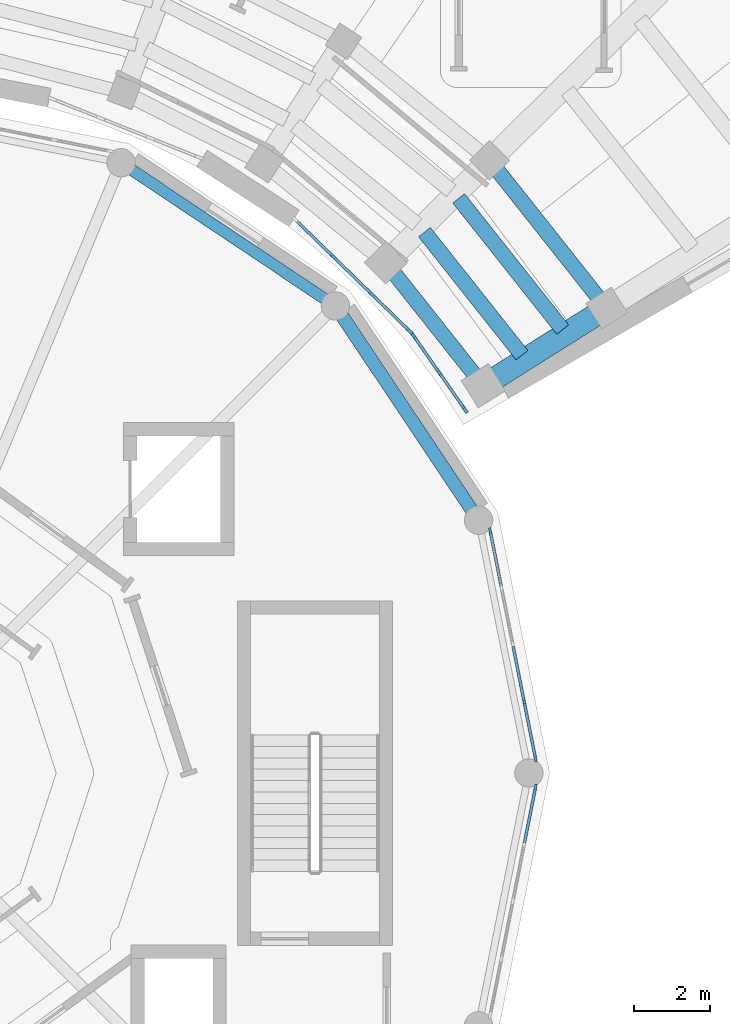
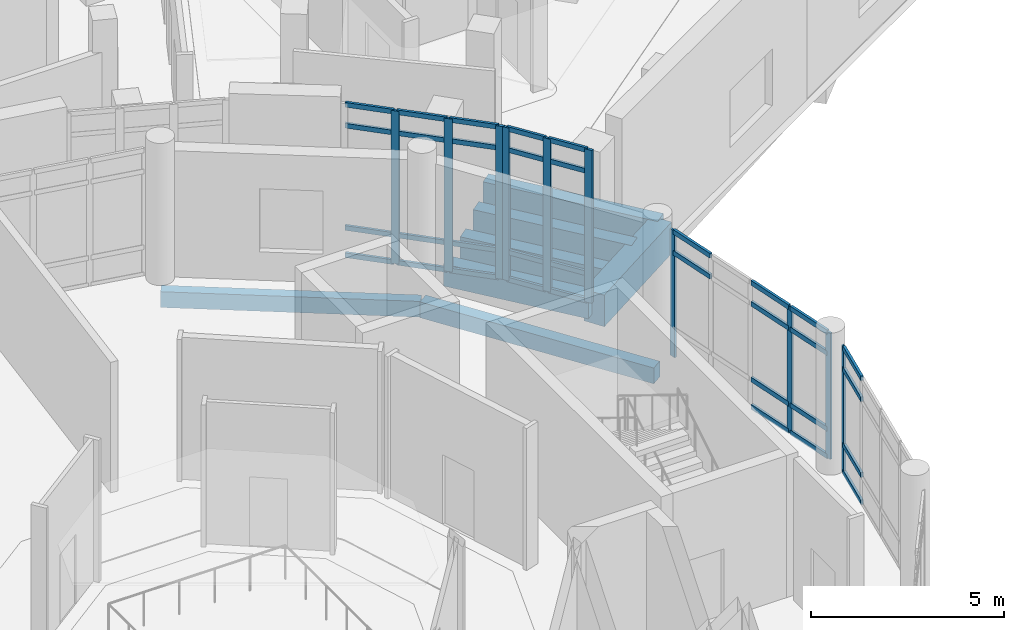
# One storey, part 10 of 27: 44 members, 7 beams, 4 elements without a shape of their own.
"""IFC4 building model written with IfcOpenShell, lengths in metres."""

from ifc_helpers import new_model, si_unit, direction, frame, origin, origin_2d, place, context, subcontext, project, spatial, rectangle, extrude, material, material_profile, profile_set, type_object, element, aggregate, save


model = new_model("IFC4")

# Units and contexts
model_context = context("Model", 3, precision=1e-05, world=origin(), true_north=direction((0.0, 1.0)))
body_context = subcontext(model_context, "Body", "Model", "MODEL_VIEW")
ifc_project = project(units=[si_unit("LENGTHUNIT", "METRE"), si_unit("AREAUNIT", "SQUARE_METRE"), si_unit("VOLUMEUNIT", "CUBIC_METRE"), si_unit("PLANEANGLEUNIT", "RADIAN"), si_unit("MASSUNIT", "GRAM", prefix="KILO")], contexts=[model_context])

# Site, building, storey
site_placement = place(None, origin())
site = spatial("IfcSite", under=ifc_project, at=site_placement, CompositionType="ELEMENT")
building_placement = place(site_placement, origin())
building = spatial("IfcBuilding", under=site, at=building_placement, Name="Soyqirgoq Riverine Aquarium", CompositionType="ELEMENT")
storey_placement = place(building_placement, frame((0.0, 0.0, 19.800048828125)))
storey = spatial("IfcBuildingStorey", under=building, at=storey_placement, Name="L05", CompositionType="ELEMENT", Elevation=19.800048828125)

# Beams
ifc_material_1 = material(Name="Concrete C40/50", Category="concrete")
ifc_material_profile_1 = material_profile(ifc_material_1, rectangle(XDim=0.39990234375, YDim=0.64990234375, at=origin_2d()), Name="RC 400x650")
ifc_profile_set_1 = profile_set([ifc_material_profile_1], Name="Concrete C40/50")
beam_type_1 = type_object("IfcBeamType", Name="Beam_RC_400x650", PredefinedType="BEAM", material=ifc_profile_set_1)
beam_1_placement = place(storey_placement, frame((74.3427734375, 68.715576171875, -0.60498046875), z_axis=(-0.621169249928, 0.783676440213, 0.0), x_axis=(-0.783676440213, -0.621169249928, 0.0)))
element("IfcBeam", 1, at=beam_1_placement, inside=storey, type_object=beam_type_1, Name="V5 L05 Secondary Floor Joist 0974", PredefinedType="BEAM", context=body_context, shape_type="SweptSolid", body=[
    extrude(rectangle(XDim=0.39990234375, YDim=0.64990234375, at=origin_2d()), origin(), (0.0, 0.0, 1.0), 4.42431640625),
])
beam_2_placement = place(storey_placement, frame((75.4736328125, 69.322021484375, -0.60498046875), z_axis=(-0.62112455544, 0.783711864546, 0.0), x_axis=(-0.783711864546, -0.62112455544, 0.0)))
element("IfcBeam", 2, at=beam_2_placement, inside=storey, type_object=beam_type_1, Name="V5 L05 Wedge Chord Beam 0981", PredefinedType="BEAM", context=body_context, shape_type="SweptSolid", body=[
    extrude(rectangle(XDim=0.39990234375, YDim=0.64990234375, at=origin_2d()), origin(), (0.0, 0.0, 1.0), 4.878662109375),
])
ifc_material_2 = material(Name="Concrete C40/50", Category="concrete")
ifc_material_profile_2 = material_profile(ifc_material_2, rectangle(XDim=0.39990234375, YDim=0.699951171875, at=origin_2d()), Name="RC 400x700")
ifc_profile_set_2 = profile_set([ifc_material_profile_2], Name="Concrete C40/50")
beam_type_2 = type_object("IfcBeamType", Name="Beam_RC_400x700", PredefinedType="BEAM", material=ifc_profile_set_2)
beam_3_placement = place(storey_placement, frame((72.2158203125, 67.2705078125, -0.630126953125), z_axis=(-0.621164833429, 0.783679940863, 0.0), x_axis=(-0.783679940863, -0.621164833429, 0.0)))
element("IfcBeam", 3, at=beam_3_placement, inside=storey, type_object=beam_type_2, Name="V5 L05 Wedge Chord Beam 0969", PredefinedType="BEAM", context=body_context, shape_type="SweptSolid", body=[
    extrude(rectangle(XDim=0.39990234375, YDim=0.699951171875, at=origin_2d()), origin(), (0.0, 0.0, 1.0), 4.047119140625),
])
beam_4_placement = place(storey_placement, frame((73.267578125, 68.03857421875, -0.630126953125), z_axis=(-0.621144365727, 0.783696163653, 0.0), x_axis=(-0.783696163653, -0.621144365727, 0.0)))
element("IfcBeam", 4, at=beam_4_placement, inside=storey, type_object=beam_type_2, Name="V5 L05 Secondary Floor Joist 0973", PredefinedType="BEAM", context=body_context, shape_type="SweptSolid", body=[
    extrude(rectangle(XDim=0.39990234375, YDim=0.699951171875, at=origin_2d()), origin(), (0.0, 0.0, 1.0), 4.14990234375),
])

# Curtain wall, members
ifc_material_3 = material(Name="Anodised aluminium thermally broken triple low-E glazing", Category="aluminium")
curtain_wall_type_1 = type_object("IfcCurtainWallType", Name="CW_DrumGallery_Unitised", PredefinedType="NOTDEFINED", material=ifc_material_3)
curtain_wall_1_placement = place(storey_placement, origin())
curtain_wall_1 = element("IfcCurtainWall", 5, at=curtain_wall_1_placement, inside=storey, type_object=curtain_wall_type_1, Name="V1 L05 Curtain Wall 005", PredefinedType="NOTDEFINED")
ifc_material_4 = material(Name="Anodised aluminium 6063-T6", Category="aluminium")
ifc_material_profile_3 = material_profile(ifc_material_4, rectangle(XDim=0.06494140625, YDim=0.179931640625, at=origin_2d()), Name="ALU-M 65x180")
ifc_profile_set_3 = profile_set([ifc_material_profile_3], Name="Anodised aluminium 6063-T6")
member_type_1 = type_object("IfcMemberType", Name="CWMullion_65x180", PredefinedType="MULLION", material=ifc_profile_set_3)
member_1_placement = place(storey_placement, frame((73.623779296875, 57.383056640625, 0.0), z_axis=(0.0, 0.0, 1.0), x_axis=(-0.980787663396, -0.19507834152, 0.0)))
member_1 = element("IfcMember", 6, at=member_1_placement, type_object=member_type_1, Name="CW-01 mullion 1", PredefinedType="MULLION", context=body_context, shape_type="SweptSolid", body=[
    extrude(rectangle(XDim=0.06494140625, YDim=0.179931640625, at=origin_2d()), origin(), (0.0, 0.0, 1.0), 4.0),
])
member_2_placement = place(storey_placement, frame((73.328125, 58.869140625, 0.0), z_axis=(0.0, 0.0, 1.0), x_axis=(-0.980787663396, -0.19507834152, 0.0)))
member_2 = element("IfcMember", 7, at=member_2_placement, type_object=member_type_1, Name="CW-01 mullion 2", PredefinedType="MULLION", context=body_context, shape_type="SweptSolid", body=[
    extrude(rectangle(XDim=0.06494140625, YDim=0.179931640625, at=origin_2d()), origin(), (0.0, 0.0, 1.0), 4.0),
])
member_3_placement = place(storey_placement, frame((72.428955078125, 63.390380859375, 0.0), z_axis=(0.0, 0.0, 1.0), x_axis=(-0.980787663396, -0.19507834152, 0.0)))
member_3 = element("IfcMember", 8, at=member_3_placement, type_object=member_type_1, Name="CW-01 mullion 5", PredefinedType="MULLION", context=body_context, shape_type="SweptSolid", body=[
    extrude(rectangle(XDim=0.06494140625, YDim=0.179931640625, at=origin_2d()), origin(), (0.0, 0.0, 1.0), 4.0),
])

# Curtain wall, member
curtain_wall_2_placement = place(storey_placement, origin())
curtain_wall_2 = element("IfcCurtainWall", 9, at=curtain_wall_2_placement, inside=storey, type_object=curtain_wall_type_1, Name="V1 L05 Curtain Wall 076", PredefinedType="NOTDEFINED")
member_4_placement = place(storey_placement, frame((73.623779296875, 56.616943359375, 0.0), z_axis=(0.0, 0.0, 1.0), x_axis=(-0.980787663396, 0.19507834152, 0.0)))
member_4 = element("IfcMember", 10, at=member_4_placement, type_object=member_type_1, Name="CW-01 mullion 5", PredefinedType="MULLION", context=body_context, shape_type="SweptSolid", body=[
    extrude(rectangle(XDim=0.06494140625, YDim=0.179931640625, at=origin_2d()), origin(), (0.0, 0.0, 1.0), 4.0),
])

# Curtain wall, members
ifc_material_5 = material(Name="Anodised aluminium thermally broken double low-E glazing", Category="aluminium")
curtain_wall_type_2 = type_object("IfcCurtainWallType", Name="CW_Wedge_NorthBay", PredefinedType="NOTDEFINED", material=ifc_material_5)
curtain_wall_3_placement = place(storey_placement, origin())
curtain_wall_3 = element("IfcCurtainWall", 11, at=curtain_wall_3_placement, inside=storey, type_object=curtain_wall_type_2, Name="V5 L05 Curtain Wall 101", PredefinedType="NOTDEFINED")
ifc_material_6 = material(Name="Anodised aluminium 6063-T6", Category="aluminium")
ifc_material_profile_4 = material_profile(ifc_material_6, rectangle(XDim=0.080078125, YDim=0.219970703125, at=origin_2d()), Name="ALU-M 80x220")
ifc_profile_set_4 = profile_set([ifc_material_profile_4], Name="Anodised aluminium 6063-T6")
member_type_2 = type_object("IfcMemberType", Name="CWMullion_80x220", PredefinedType="MULLION", material=ifc_profile_set_4)
member_5_placement = place(storey_placement, frame((70.296630859375, 68.679443359375, 0.0), z_axis=(0.0, 0.0, 1.0), x_axis=(-0.697789725997, -0.716302658304, 0.0)))
member_5 = element("IfcMember", 12, at=member_5_placement, type_object=member_type_2, Name="CW-03 mullion 1", PredefinedType="MULLION", context=body_context, shape_type="SweptSolid", body=[
    extrude(rectangle(XDim=0.080078125, YDim=0.219970703125, at=origin_2d()), origin(), (0.0, 0.0, 1.0), 4.83984375),
])
member_6_placement = place(storey_placement, frame((69.307861328125, 69.642822265625, 0.0), z_axis=(0.0, 0.0, 1.0), x_axis=(-0.697789725997, -0.716302658304, 0.0)))
member_6 = element("IfcMember", 13, at=member_6_placement, type_object=member_type_2, Name="CW-03 mullion 2", PredefinedType="MULLION", context=body_context, shape_type="SweptSolid", body=[
    extrude(rectangle(XDim=0.080078125, YDim=0.219970703125, at=origin_2d()), origin(), (0.0, 0.0, 1.0), 4.83984375),
])
member_7_placement = place(storey_placement, frame((68.290283203125, 70.63427734375, 0.0), z_axis=(0.0, 0.0, 1.0), x_axis=(-0.697789725997, -0.716302658304, 0.0)))
member_7 = element("IfcMember", 14, at=member_7_placement, type_object=member_type_2, Name="CW-03 mullion 3", PredefinedType="MULLION", context=body_context, shape_type="SweptSolid", body=[
    extrude(rectangle(XDim=0.080078125, YDim=0.219970703125, at=origin_2d()), origin(), (0.0, 0.0, 1.0), 4.83984375),
])

curtain_wall_4_placement = place(storey_placement, origin())
curtain_wall_4 = element("IfcCurtainWall", 15, at=curtain_wall_4_placement, inside=storey, type_object=curtain_wall_type_2, Name="V5 L05 Curtain Wall 103", PredefinedType="NOTDEFINED")
member_8_placement = place(storey_placement, frame((71.7578125, 66.60546875, 0.0), z_axis=(0.0, 0.0, 1.0), x_axis=(-0.820955773549, -0.570991784421, 0.0)))
member_8 = element("IfcMember", 16, at=member_8_placement, type_object=member_type_2, Name="CW-03 mullion 1", PredefinedType="MULLION", context=body_context, shape_type="SweptSolid", body=[
    extrude(rectangle(XDim=0.080078125, YDim=0.219970703125, at=origin_2d()), origin(), (0.0, 0.0, 1.0), 4.83984375),
])
member_9_placement = place(storey_placement, frame((71.078857421875, 67.581787109375, 0.0), z_axis=(0.0, 0.0, 1.0), x_axis=(-0.820955773549, -0.570991784421, 0.0)))
member_9 = element("IfcMember", 17, at=member_9_placement, type_object=member_type_2, Name="CW-03 mullion 2", PredefinedType="MULLION", context=body_context, shape_type="SweptSolid", body=[
    extrude(rectangle(XDim=0.080078125, YDim=0.219970703125, at=origin_2d()), origin(), (0.0, 0.0, 1.0), 4.83984375),
])
member_10_placement = place(storey_placement, frame((70.399658203125, 68.557861328125, 0.0), z_axis=(0.0, 0.0, 1.0), x_axis=(-0.820955773549, -0.570991784421, 0.0)))
member_10 = element("IfcMember", 18, at=member_10_placement, type_object=member_type_2, Name="CW-03 mullion 3", PredefinedType="MULLION", context=body_context, shape_type="SweptSolid", body=[
    extrude(rectangle(XDim=0.080078125, YDim=0.219970703125, at=origin_2d()), origin(), (0.0, 0.0, 1.0), 4.83984375),
])

# Member
ifc_material_7 = material(Name="Anodised aluminium 6063-T6", Category="aluminium")
ifc_material_profile_5 = material_profile(ifc_material_7, rectangle(XDim=0.074951171875, YDim=0.14990234375, at=origin_2d()), Name="ALU-T 75x150")
ifc_profile_set_5 = profile_set([ifc_material_profile_5], Name="Anodised aluminium 6063-T6")
member_type_3 = type_object("IfcMemberType", Name="CWTransom_75x150", PredefinedType="USERDEFINED", material=ifc_profile_set_5)
member_11_placement = place(storey_placement, frame((73.617431640625, 57.4150390625, 0.037353515625), z_axis=(-0.195144654489, 0.980774471438, 0.0), x_axis=(-0.980774471438, -0.195144654489, 0.0)))
member_11 = element("IfcMember", 19, at=member_11_placement, type_object=member_type_3, Name="CW-01 transom 1.1", ObjectType="TRANSOM", PredefinedType="USERDEFINED", context=body_context, shape_type="SweptSolid", body=[
    extrude(rectangle(XDim=0.074951171875, YDim=0.14990234375, at=origin_2d()), origin(), (0.0, 0.0, 1.0), 1.449951171875),
])

member_12_placement = place(storey_placement, frame((73.617431640625, 57.4150390625, 0.89990234375), z_axis=(-0.195144654489, 0.980774471438, 0.0), x_axis=(-0.980774471438, -0.195144654489, 0.0)))
member_12 = element("IfcMember", 20, at=member_12_placement, type_object=member_type_3, Name="CW-01 transom 1.2", ObjectType="TRANSOM", PredefinedType="USERDEFINED", context=body_context, shape_type="SweptSolid", body=[
    extrude(rectangle(XDim=0.074951171875, YDim=0.14990234375, at=origin_2d()), origin(), (0.0, 0.0, 1.0), 1.449951171875),
])

member_13_placement = place(storey_placement, frame((73.617431640625, 57.4150390625, 3.300048828125), z_axis=(-0.195144654489, 0.980774471438, 0.0), x_axis=(-0.980774471438, -0.195144654489, 0.0)))
member_13 = element("IfcMember", 21, at=member_13_placement, type_object=member_type_3, Name="CW-01 transom 1.3", ObjectType="TRANSOM", PredefinedType="USERDEFINED", context=body_context, shape_type="SweptSolid", body=[
    extrude(rectangle(XDim=0.074951171875, YDim=0.14990234375, at=origin_2d()), origin(), (0.0, 0.0, 1.0), 1.449951171875),
])

member_14_placement = place(storey_placement, frame((73.617431640625, 57.4150390625, 3.96240234375), z_axis=(-0.195144654489, 0.980774471438, 0.0), x_axis=(-0.980774471438, -0.195144654489, 0.0)))
member_14 = element("IfcMember", 22, at=member_14_placement, type_object=member_type_3, Name="CW-01 transom 1.4", ObjectType="TRANSOM", PredefinedType="USERDEFINED", context=body_context, shape_type="SweptSolid", body=[
    extrude(rectangle(XDim=0.074951171875, YDim=0.14990234375, at=origin_2d()), origin(), (0.0, 0.0, 1.0), 1.449951171875),
])

member_15_placement = place(storey_placement, frame((73.32177734375, 58.90087890625, 0.037353515625), z_axis=(-0.194975940567, 0.980808025355, 0.0), x_axis=(-0.980808025355, -0.194975940567, 0.0)))
member_15 = element("IfcMember", 23, at=member_15_placement, type_object=member_type_3, Name="CW-01 transom 2.1", ObjectType="TRANSOM", PredefinedType="USERDEFINED", context=body_context, shape_type="SweptSolid", body=[
    extrude(rectangle(XDim=0.074951171875, YDim=0.14990234375, at=origin_2d()), origin(), (0.0, 0.0, 1.0), 1.482666015625),
])

member_16_placement = place(storey_placement, frame((73.32177734375, 58.90087890625, 0.89990234375), z_axis=(-0.194975940567, 0.980808025355, 0.0), x_axis=(-0.980808025355, -0.194975940567, 0.0)))
member_16 = element("IfcMember", 24, at=member_16_placement, type_object=member_type_3, Name="CW-01 transom 2.2", ObjectType="TRANSOM", PredefinedType="USERDEFINED", context=body_context, shape_type="SweptSolid", body=[
    extrude(rectangle(XDim=0.074951171875, YDim=0.14990234375, at=origin_2d()), origin(), (0.0, 0.0, 1.0), 1.482666015625),
])

member_17_placement = place(storey_placement, frame((73.32177734375, 58.90087890625, 3.300048828125), z_axis=(-0.194975940567, 0.980808025355, 0.0), x_axis=(-0.980808025355, -0.194975940567, 0.0)))
member_17 = element("IfcMember", 25, at=member_17_placement, type_object=member_type_3, Name="CW-01 transom 2.3", ObjectType="TRANSOM", PredefinedType="USERDEFINED", context=body_context, shape_type="SweptSolid", body=[
    extrude(rectangle(XDim=0.074951171875, YDim=0.14990234375, at=origin_2d()), origin(), (0.0, 0.0, 1.0), 1.482666015625),
])

member_18_placement = place(storey_placement, frame((73.32177734375, 58.90087890625, 3.96240234375), z_axis=(-0.194975940567, 0.980808025355, 0.0), x_axis=(-0.980808025355, -0.194975940567, 0.0)))
member_18 = element("IfcMember", 26, at=member_18_placement, type_object=member_type_3, Name="CW-01 transom 2.4", ObjectType="TRANSOM", PredefinedType="USERDEFINED", context=body_context, shape_type="SweptSolid", body=[
    extrude(rectangle(XDim=0.074951171875, YDim=0.14990234375, at=origin_2d()), origin(), (0.0, 0.0, 1.0), 1.482666015625),
])

member_19_placement = place(storey_placement, frame((72.718017578125, 61.936279296875, 3.300048828125), z_axis=(-0.194982685105, 0.980806684576, 0.0), x_axis=(-0.980806684576, -0.194982685105, 0.0)))
member_19 = element("IfcMember", 27, at=member_19_placement, type_object=member_type_3, Name="CW-01 transom 4.3", ObjectType="TRANSOM", PredefinedType="USERDEFINED", context=body_context, shape_type="SweptSolid", body=[
    extrude(rectangle(XDim=0.074951171875, YDim=0.14990234375, at=origin_2d()), origin(), (0.0, 0.0, 1.0), 1.449951171875),
])

member_20_placement = place(storey_placement, frame((72.718017578125, 61.936279296875, 3.96240234375), z_axis=(-0.194982685105, 0.980806684576, 0.0), x_axis=(-0.980806684576, -0.194982685105, 0.0)))
member_20 = element("IfcMember", 28, at=member_20_placement, type_object=member_type_3, Name="CW-01 transom 4.4", ObjectType="TRANSOM", PredefinedType="USERDEFINED", context=body_context, shape_type="SweptSolid", body=[
    extrude(rectangle(XDim=0.074951171875, YDim=0.14990234375, at=origin_2d()), origin(), (0.0, 0.0, 1.0), 1.449951171875),
])

aggregate(curtain_wall_1, [member_1, member_2, member_3, member_11, member_12, member_13, member_14, member_15, member_16, member_17, member_18, member_19, member_20])

member_21_placement = place(storey_placement, frame((73.33447265625, 55.162841796875, 0.037353515625), z_axis=(0.195144654489, 0.980774471438, 0.0), x_axis=(-0.980774471438, 0.195144654489, 0.0)))
member_21 = element("IfcMember", 29, at=member_21_placement, type_object=member_type_3, Name="CW-01 transom 4.1", ObjectType="TRANSOM", PredefinedType="USERDEFINED", context=body_context, shape_type="SweptSolid", body=[
    extrude(rectangle(XDim=0.074951171875, YDim=0.14990234375, at=origin_2d()), origin(), (0.0, 0.0, 1.0), 1.449951171875),
])

member_22_placement = place(storey_placement, frame((73.33447265625, 55.162841796875, 0.89990234375), z_axis=(0.195144654489, 0.980774471438, 0.0), x_axis=(-0.980774471438, 0.195144654489, 0.0)))
member_22 = element("IfcMember", 30, at=member_22_placement, type_object=member_type_3, Name="CW-01 transom 4.2", ObjectType="TRANSOM", PredefinedType="USERDEFINED", context=body_context, shape_type="SweptSolid", body=[
    extrude(rectangle(XDim=0.074951171875, YDim=0.14990234375, at=origin_2d()), origin(), (0.0, 0.0, 1.0), 1.449951171875),
])

member_23_placement = place(storey_placement, frame((73.33447265625, 55.162841796875, 3.300048828125), z_axis=(0.195144654489, 0.980774471438, 0.0), x_axis=(-0.980774471438, 0.195144654489, 0.0)))
member_23 = element("IfcMember", 31, at=member_23_placement, type_object=member_type_3, Name="CW-01 transom 4.3", ObjectType="TRANSOM", PredefinedType="USERDEFINED", context=body_context, shape_type="SweptSolid", body=[
    extrude(rectangle(XDim=0.074951171875, YDim=0.14990234375, at=origin_2d()), origin(), (0.0, 0.0, 1.0), 1.449951171875),
])

member_24_placement = place(storey_placement, frame((73.33447265625, 55.162841796875, 3.96240234375), z_axis=(0.195144654489, 0.980774471438, 0.0), x_axis=(-0.980774471438, 0.195144654489, 0.0)))
member_24 = element("IfcMember", 32, at=member_24_placement, type_object=member_type_3, Name="CW-01 transom 4.4", ObjectType="TRANSOM", PredefinedType="USERDEFINED", context=body_context, shape_type="SweptSolid", body=[
    extrude(rectangle(XDim=0.074951171875, YDim=0.14990234375, at=origin_2d()), origin(), (0.0, 0.0, 1.0), 1.449951171875),
])

aggregate(curtain_wall_2, [member_4, member_21, member_22, member_23, member_24])

member_25_placement = place(storey_placement, frame((70.26806640625, 68.70751953125, 0.037353515625), z_axis=(-0.716337842747, 0.69775360626, 0.0), x_axis=(-0.69775360626, -0.716337842747, 0.0)))
member_25 = element("IfcMember", 33, at=member_25_placement, type_object=member_type_3, Name="CW-03 transom 1.1", ObjectType="TRANSOM", PredefinedType="USERDEFINED", context=body_context, shape_type="SweptSolid", body=[
    extrude(rectangle(XDim=0.074951171875, YDim=0.14990234375, at=origin_2d()), origin(), (0.0, 0.0, 1.0), 1.300537109375),
])

member_26_placement = place(storey_placement, frame((70.26806640625, 68.70751953125, 0.89990234375), z_axis=(-0.716337842747, 0.69775360626, 0.0), x_axis=(-0.69775360626, -0.716337842747, 0.0)))
member_26 = element("IfcMember", 34, at=member_26_placement, type_object=member_type_3, Name="CW-03 transom 1.2", ObjectType="TRANSOM", PredefinedType="USERDEFINED", context=body_context, shape_type="SweptSolid", body=[
    extrude(rectangle(XDim=0.074951171875, YDim=0.14990234375, at=origin_2d()), origin(), (0.0, 0.0, 1.0), 1.300537109375),
])

member_27_placement = place(storey_placement, frame((70.26806640625, 68.70751953125, 4.139892578125), z_axis=(-0.716337842747, 0.69775360626, 0.0), x_axis=(-0.69775360626, -0.716337842747, 0.0)))
member_27 = element("IfcMember", 35, at=member_27_placement, type_object=member_type_3, Name="CW-03 transom 1.3", ObjectType="TRANSOM", PredefinedType="USERDEFINED", context=body_context, shape_type="SweptSolid", body=[
    extrude(rectangle(XDim=0.074951171875, YDim=0.14990234375, at=origin_2d()), origin(), (0.0, 0.0, 1.0), 1.300537109375),
])

member_28_placement = place(storey_placement, frame((70.26806640625, 68.70751953125, 4.802490234375), z_axis=(-0.716337842747, 0.69775360626, 0.0), x_axis=(-0.69775360626, -0.716337842747, 0.0)))
member_28 = element("IfcMember", 36, at=member_28_placement, type_object=member_type_3, Name="CW-03 transom 1.4", ObjectType="TRANSOM", PredefinedType="USERDEFINED", context=body_context, shape_type="SweptSolid", body=[
    extrude(rectangle(XDim=0.074951171875, YDim=0.14990234375, at=origin_2d()), origin(), (0.0, 0.0, 1.0), 1.300537109375),
])

member_29_placement = place(storey_placement, frame((69.279052734375, 69.6708984375, 0.037353515625), z_axis=(-0.716334622135, 0.697756912636, 0.0), x_axis=(-0.697756912636, -0.716334622135, 0.0)))
member_29 = element("IfcMember", 37, at=member_29_placement, type_object=member_type_3, Name="CW-03 transom 2.1", ObjectType="TRANSOM", PredefinedType="USERDEFINED", context=body_context, shape_type="SweptSolid", body=[
    extrude(rectangle(XDim=0.074951171875, YDim=0.14990234375, at=origin_2d()), origin(), (0.0, 0.0, 1.0), 1.34033203125),
])

member_30_placement = place(storey_placement, frame((69.279052734375, 69.6708984375, 0.89990234375), z_axis=(-0.716334622135, 0.697756912636, 0.0), x_axis=(-0.697756912636, -0.716334622135, 0.0)))
member_30 = element("IfcMember", 38, at=member_30_placement, type_object=member_type_3, Name="CW-03 transom 2.2", ObjectType="TRANSOM", PredefinedType="USERDEFINED", context=body_context, shape_type="SweptSolid", body=[
    extrude(rectangle(XDim=0.074951171875, YDim=0.14990234375, at=origin_2d()), origin(), (0.0, 0.0, 1.0), 1.34033203125),
])

member_31_placement = place(storey_placement, frame((69.279052734375, 69.6708984375, 4.139892578125), z_axis=(-0.716334622135, 0.697756912636, 0.0), x_axis=(-0.697756912636, -0.716334622135, 0.0)))
member_31 = element("IfcMember", 39, at=member_31_placement, type_object=member_type_3, Name="CW-03 transom 2.3", ObjectType="TRANSOM", PredefinedType="USERDEFINED", context=body_context, shape_type="SweptSolid", body=[
    extrude(rectangle(XDim=0.074951171875, YDim=0.14990234375, at=origin_2d()), origin(), (0.0, 0.0, 1.0), 1.34033203125),
])

member_32_placement = place(storey_placement, frame((69.279052734375, 69.6708984375, 4.802490234375), z_axis=(-0.716334622135, 0.697756912636, 0.0), x_axis=(-0.697756912636, -0.716334622135, 0.0)))
member_32 = element("IfcMember", 40, at=member_32_placement, type_object=member_type_3, Name="CW-03 transom 2.4", ObjectType="TRANSOM", PredefinedType="USERDEFINED", context=body_context, shape_type="SweptSolid", body=[
    extrude(rectangle(XDim=0.074951171875, YDim=0.14990234375, at=origin_2d()), origin(), (0.0, 0.0, 1.0), 1.34033203125),
])

member_33_placement = place(storey_placement, frame((68.261474609375, 70.662109375, 0.037353515625), z_axis=(-0.716337842747, 0.69775360626, 0.0), x_axis=(-0.69775360626, -0.716337842747, 0.0)))
member_33 = element("IfcMember", 41, at=member_33_placement, type_object=member_type_3, Name="CW-03 transom 3.1", ObjectType="TRANSOM", PredefinedType="USERDEFINED", context=body_context, shape_type="SweptSolid", body=[
    extrude(rectangle(XDim=0.074951171875, YDim=0.14990234375, at=origin_2d()), origin(), (0.0, 0.0, 1.0), 1.300537109375),
])

member_34_placement = place(storey_placement, frame((68.261474609375, 70.662109375, 0.89990234375), z_axis=(-0.716337842747, 0.69775360626, 0.0), x_axis=(-0.69775360626, -0.716337842747, 0.0)))
member_34 = element("IfcMember", 42, at=member_34_placement, type_object=member_type_3, Name="CW-03 transom 3.2", ObjectType="TRANSOM", PredefinedType="USERDEFINED", context=body_context, shape_type="SweptSolid", body=[
    extrude(rectangle(XDim=0.074951171875, YDim=0.14990234375, at=origin_2d()), origin(), (0.0, 0.0, 1.0), 1.300537109375),
])

member_35_placement = place(storey_placement, frame((68.261474609375, 70.662109375, 4.139892578125), z_axis=(-0.716337842747, 0.69775360626, 0.0), x_axis=(-0.69775360626, -0.716337842747, 0.0)))
member_35 = element("IfcMember", 43, at=member_35_placement, type_object=member_type_3, Name="CW-03 transom 3.3", ObjectType="TRANSOM", PredefinedType="USERDEFINED", context=body_context, shape_type="SweptSolid", body=[
    extrude(rectangle(XDim=0.074951171875, YDim=0.14990234375, at=origin_2d()), origin(), (0.0, 0.0, 1.0), 1.300537109375),
])

member_36_placement = place(storey_placement, frame((68.261474609375, 70.662109375, 4.802490234375), z_axis=(-0.716337842747, 0.69775360626, 0.0), x_axis=(-0.69775360626, -0.716337842747, 0.0)))
member_36 = element("IfcMember", 44, at=member_36_placement, type_object=member_type_3, Name="CW-03 transom 3.4", ObjectType="TRANSOM", PredefinedType="USERDEFINED", context=body_context, shape_type="SweptSolid", body=[
    extrude(rectangle(XDim=0.074951171875, YDim=0.14990234375, at=origin_2d()), origin(), (0.0, 0.0, 1.0), 1.300537109375),
])

aggregate(curtain_wall_3, [member_5, member_6, member_7, member_25, member_26, member_27, member_28, member_29, member_30, member_31, member_32, member_33, member_34, member_35, member_36])

member_37_placement = place(storey_placement, frame((71.73486328125, 66.63818359375, 0.037353515625), z_axis=(-0.570948402442, 0.820985944915, 0.0), x_axis=(-0.820985944915, -0.570948402442, 0.0)))
member_37 = element("IfcMember", 45, at=member_37_placement, type_object=member_type_3, Name="CW-03 transom 1.1", ObjectType="TRANSOM", PredefinedType="USERDEFINED", context=body_context, shape_type="SweptSolid", body=[
    extrude(rectangle(XDim=0.074951171875, YDim=0.14990234375, at=origin_2d()), origin(), (0.0, 0.0, 1.0), 1.109130859375),
])

member_38_placement = place(storey_placement, frame((71.73486328125, 66.63818359375, 0.89990234375), z_axis=(-0.570948402442, 0.820985944915, 0.0), x_axis=(-0.820985944915, -0.570948402442, 0.0)))
member_38 = element("IfcMember", 46, at=member_38_placement, type_object=member_type_3, Name="CW-03 transom 1.2", ObjectType="TRANSOM", PredefinedType="USERDEFINED", context=body_context, shape_type="SweptSolid", body=[
    extrude(rectangle(XDim=0.074951171875, YDim=0.14990234375, at=origin_2d()), origin(), (0.0, 0.0, 1.0), 1.109130859375),
])

member_39_placement = place(storey_placement, frame((71.73486328125, 66.63818359375, 4.139892578125), z_axis=(-0.570948402442, 0.820985944915, 0.0), x_axis=(-0.820985944915, -0.570948402442, 0.0)))
member_39 = element("IfcMember", 47, at=member_39_placement, type_object=member_type_3, Name="CW-03 transom 1.3", ObjectType="TRANSOM", PredefinedType="USERDEFINED", context=body_context, shape_type="SweptSolid", body=[
    extrude(rectangle(XDim=0.074951171875, YDim=0.14990234375, at=origin_2d()), origin(), (0.0, 0.0, 1.0), 1.109130859375),
])

member_40_placement = place(storey_placement, frame((71.73486328125, 66.63818359375, 4.802490234375), z_axis=(-0.570948402442, 0.820985944915, 0.0), x_axis=(-0.820985944915, -0.570948402442, 0.0)))
member_40 = element("IfcMember", 48, at=member_40_placement, type_object=member_type_3, Name="CW-03 transom 1.4", ObjectType="TRANSOM", PredefinedType="USERDEFINED", context=body_context, shape_type="SweptSolid", body=[
    extrude(rectangle(XDim=0.074951171875, YDim=0.14990234375, at=origin_2d()), origin(), (0.0, 0.0, 1.0), 1.109130859375),
])

member_41_placement = place(storey_placement, frame((71.055908203125, 67.614501953125, 0.037353515625), z_axis=(-0.570948402442, 0.820985944915, 0.0), x_axis=(-0.820985944915, -0.570948402442, 0.0)))
member_41 = element("IfcMember", 49, at=member_41_placement, type_object=member_type_3, Name="CW-03 transom 2.1", ObjectType="TRANSOM", PredefinedType="USERDEFINED", context=body_context, shape_type="SweptSolid", body=[
    extrude(rectangle(XDim=0.074951171875, YDim=0.14990234375, at=origin_2d()), origin(), (0.0, 0.0, 1.0), 1.109130859375),
])

member_42_placement = place(storey_placement, frame((71.055908203125, 67.614501953125, 0.89990234375), z_axis=(-0.570948402442, 0.820985944915, 0.0), x_axis=(-0.820985944915, -0.570948402442, 0.0)))
member_42 = element("IfcMember", 50, at=member_42_placement, type_object=member_type_3, Name="CW-03 transom 2.2", ObjectType="TRANSOM", PredefinedType="USERDEFINED", context=body_context, shape_type="SweptSolid", body=[
    extrude(rectangle(XDim=0.074951171875, YDim=0.14990234375, at=origin_2d()), origin(), (0.0, 0.0, 1.0), 1.109130859375),
])

member_43_placement = place(storey_placement, frame((71.055908203125, 67.614501953125, 4.139892578125), z_axis=(-0.570948402442, 0.820985944915, 0.0), x_axis=(-0.820985944915, -0.570948402442, 0.0)))
member_43 = element("IfcMember", 51, at=member_43_placement, type_object=member_type_3, Name="CW-03 transom 2.3", ObjectType="TRANSOM", PredefinedType="USERDEFINED", context=body_context, shape_type="SweptSolid", body=[
    extrude(rectangle(XDim=0.074951171875, YDim=0.14990234375, at=origin_2d()), origin(), (0.0, 0.0, 1.0), 1.109130859375),
])

member_44_placement = place(storey_placement, frame((71.055908203125, 67.614501953125, 4.802490234375), z_axis=(-0.570948402442, 0.820985944915, 0.0), x_axis=(-0.820985944915, -0.570948402442, 0.0)))
member_44 = element("IfcMember", 52, at=member_44_placement, type_object=member_type_3, Name="CW-03 transom 2.4", ObjectType="TRANSOM", PredefinedType="USERDEFINED", context=body_context, shape_type="SweptSolid", body=[
    extrude(rectangle(XDim=0.074951171875, YDim=0.14990234375, at=origin_2d()), origin(), (0.0, 0.0, 1.0), 1.109130859375),
])

aggregate(curtain_wall_4, [member_8, member_9, member_10, member_37, member_38, member_39, member_40, member_41, member_42, member_43, member_44])

# Beams
ifc_material_8 = material(Name="Concrete C40/50", Category="concrete")
ifc_material_profile_6 = material_profile(ifc_material_8, rectangle(XDim=0.60009765625, YDim=1.0, at=origin_2d()), Name="RC 600x1000")
ifc_profile_set_6 = profile_set([ifc_material_profile_6], Name="Concrete C40/50")
beam_type_3 = type_object("IfcBeamType", Name="Girder_RC_600x1000", PredefinedType="BEAM", material=ifc_profile_set_6)
beam_5_placement = place(storey_placement, frame((72.289306640625, 67.2578125, -0.780029296875), z_axis=(0.846182823689, 0.53289269923, 0.0), x_axis=(-0.53289269923, 0.846182823689, 0.0)))
element("IfcBeam", 53, at=beam_5_placement, inside=storey, type_object=beam_type_3, Name="V5 L05 Wedge Radial Girder 0954", PredefinedType="BEAM", context=body_context, shape_type="SweptSolid", body=[
    extrude(rectangle(XDim=0.60009765625, YDim=1.0, at=origin_2d()), origin(), (0.0, 0.0, 1.0), 3.75),
])
ifc_material_9 = material(Name="Concrete C40/50", Category="concrete")
ifc_material_profile_7 = material_profile(ifc_material_9, rectangle(XDim=0.300048828125, YDim=0.5, at=origin_2d()), Name="RC 300x500")
ifc_profile_set_7 = profile_set([ifc_material_profile_7], Name="Concrete C40/50")
beam_type_4 = type_object("IfcBeamType", Name="Spandrel_RC_300x500", PredefinedType="SPANDREL", material=ifc_profile_set_7)
beam_6_placement = place(storey_placement, frame((68.322509765625, 69.35009765625, -0.60009765625), z_axis=(-0.83147831173, 0.555557213186, 0.0), x_axis=(-0.555557213186, -0.83147831173, 0.0)))
element("IfcBeam", 54, at=beam_6_placement, inside=storey, type_object=beam_type_4, Name="V1 L05 Drum Spandrel Beam 0119", PredefinedType="SPANDREL", context=body_context, shape_type="SweptSolid", body=[
    extrude(rectangle(XDim=0.300048828125, YDim=0.5, at=origin_2d()), origin(), (0.0, 0.0, 1.0), 6.768798828125),
])
ifc_material_10 = material(Name="Concrete C40/50", Category="concrete")
ifc_material_profile_8 = material_profile(ifc_material_10, rectangle(XDim=0.35009765625, YDim=0.5, at=origin_2d()), Name="RC 350x500")
ifc_profile_set_8 = profile_set([ifc_material_profile_8], Name="Concrete C40/50")
beam_type_5 = type_object("IfcBeamType", Name="Spandrel_RC_350x500", PredefinedType="SPANDREL", material=ifc_profile_set_8)
beam_7_placement = place(storey_placement, frame((72.110595703125, 63.6943359375, -0.60009765625), z_axis=(-0.555557213186, 0.83147831173, 0.0), x_axis=(-0.83147831173, -0.555557213186, 0.0)))
element("IfcBeam", 55, at=beam_7_placement, inside=storey, type_object=beam_type_5, Name="V1 L05 Drum Spandrel Beam 0118", PredefinedType="SPANDREL", context=body_context, shape_type="SweptSolid", body=[
    extrude(rectangle(XDim=0.35009765625, YDim=0.5, at=origin_2d()), origin(), (0.0, 0.0, 1.0), 6.768798828125),
])

save(model, "model.ifc")
